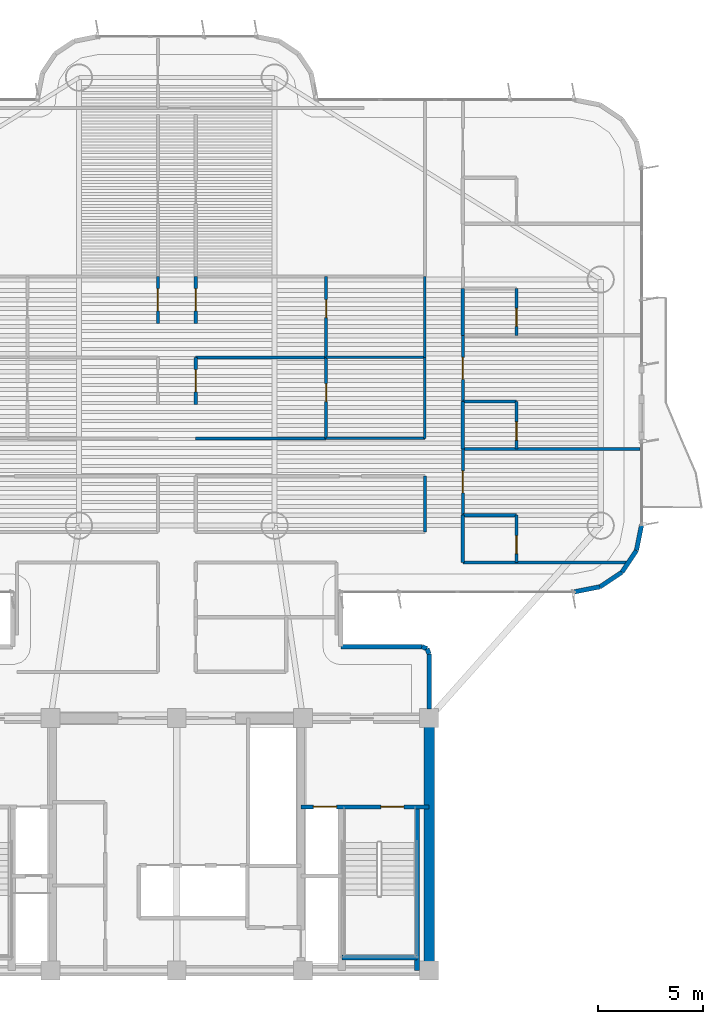
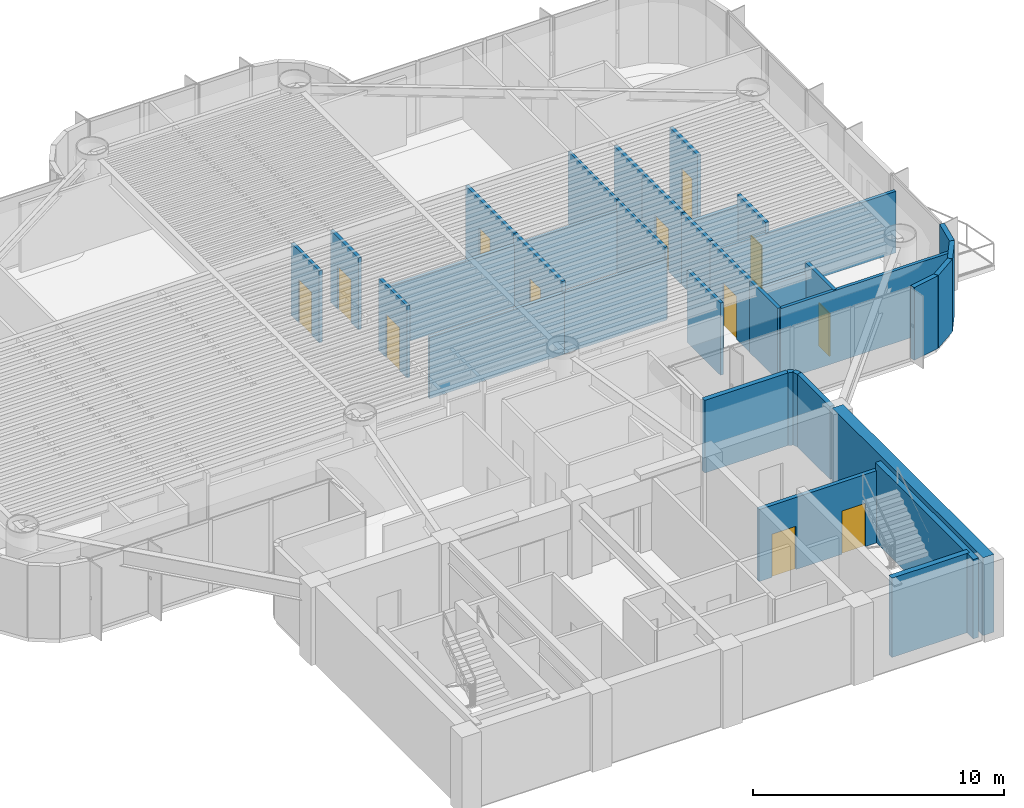
# One storey, part 11 of 17: 36 walls, 12 doors, 12 openings.
"""IFC4 building model written with IfcOpenShell, lengths in metres."""

from ifc_helpers import new_model, si_unit, direction, frame, frame_2d, origin, origin_2d, place, context, subcontext, project, spatial, rectangle, extrude, source, transform, mapped, material, layer, layer_set, type_object, element, fill, save


model = new_model("IFC4")

# Units and contexts
model_context = context("Model", 3, precision=1e-05, world=origin(), true_north=direction((0.0, 1.0)))
body_context = subcontext(model_context, "Body", "Model", "MODEL_VIEW")
ifc_project = project(units=[si_unit("LENGTHUNIT", "METRE"), si_unit("AREAUNIT", "SQUARE_METRE"), si_unit("VOLUMEUNIT", "CUBIC_METRE"), si_unit("PLANEANGLEUNIT", "RADIAN"), si_unit("MASSUNIT", "GRAM", prefix="KILO")], contexts=[model_context])

# Site, building, storey
site_placement = place(None, origin())
site = spatial("IfcSite", under=ifc_project, at=site_placement, CompositionType="ELEMENT")
building_placement = place(site_placement, origin())
building = spatial("IfcBuilding", under=site, at=building_placement, Name="Brelvock Crest Care Tower", CompositionType="ELEMENT")
storey_placement = place(building_placement, frame((0.0, 0.0, 135.179931640625)))
storey = spatial("IfcBuildingStorey", under=building, at=storey_placement, Name="L34", CompositionType="ELEMENT", Elevation=135.179931640625)

# Walls
ifc_material_1 = material(Name="Concrete S80 (80 MPa)", Category="concrete")
ifc_layer_1 = layer(ifc_material_1, 0.5, Name="WL-CS2")
ifc_layer_set_1 = layer_set([ifc_layer_1], Name="Concrete S80 (80 MPa)")
wall_type_1 = type_object("IfcWallType", Name="WL-CS2", PredefinedType="SHEAR", material=ifc_layer_set_1)
wall_1_placement = place(storey_placement, frame((48.0, 18.0, 0.0), z_axis=(0.0, 0.0, 1.0), x_axis=(0.0, -1.0, 0.0)))
element("IfcWall", 1, at=wall_1_placement, inside=storey, type_object=wall_type_1, Name="L34 Core East Shear Wall", PredefinedType="SHEAR", context=body_context, shape_type="SweptSolid", body=[
    extrude(rectangle(XDim=12.0, YDim=0.5, at=frame_2d((6.0, 0.0))), origin(), (0.0, 0.0, 1.0), 3.780029296875),
])
ifc_layer_2 = layer(ifc_material_1, 0.25, Name="WL-CS6")
ifc_layer_set_2 = layer_set([ifc_layer_2], Name="Concrete S80 (80 MPa)")
wall_type_2 = type_object("IfcWallType", Name="WL-CS6", PredefinedType="SHEAR", material=ifc_layer_set_2)
wall_2_placement = place(storey_placement, frame((47.419921875, 6.0, 0.0), z_axis=(0.0, 0.0, 1.0), x_axis=(0.0, 1.0, 0.0)))
element("IfcWall", 2, at=wall_2_placement, inside=storey, type_object=wall_type_2, Name="L34 Core Stair ST-2 East Shear Wall", PredefinedType="SHEAR", context=body_context, shape_type="SweptSolid", body=[
    extrude(rectangle(XDim=7.780029296875, YDim=0.25, at=frame_2d((3.89013671875, 0.0))), origin(), (0.0, 0.0, 1.0), 3.85009765625),
])
wall_3_placement = place(storey_placement, frame((43.85009765625, 6.6201171875, 0.0), z_axis=(0.0, 0.0, 1.0), x_axis=(1.0, 0.0, 0.0)))
element("IfcWall", 3, at=wall_3_placement, inside=storey, type_object=wall_type_2, Name="L34 Core Stair ST-2 South Shear Wall", PredefinedType="SHEAR", context=body_context, shape_type="SweptSolid", body=[
    extrude(rectangle(XDim=3.56982421875, YDim=0.25, at=frame_2d((1.784912109375, 0.0))), origin(), (0.0, 0.0, 1.0), 3.85009765625),
])
ifc_material_2 = material(Name="Precast concrete N40 (40 MPa)", Category="concrete")
ifc_layer_3 = layer(ifc_material_2, 0.215087890625, Name="WL-EX2")
ifc_layer_set_3 = layer_set([ifc_layer_3], Name="Precast concrete N40 (40 MPa)")
wall_type_3 = type_object("IfcWallType", Name="WL-EX2", PredefinedType="SOLIDWALL", material=ifc_layer_set_3)
wall_4_placement = place(storey_placement, frame((47.8974609375, 21.297607421875, 0.0), z_axis=(0.0, 0.0, 1.0), x_axis=(0.382673670509, -0.923883575944, 0.0)))
element("IfcWall", 4, at=wall_4_placement, inside=storey, type_object=wall_type_3, Name="L34 Rounded Corner Wall 00", PredefinedType="SOLIDWALL", context=body_context, shape_type="SweptSolid", body=[
    extrude(rectangle(XDim=0.26806640625, YDim=0.215087890625, at=frame_2d((0.134033203125, 0.0))), origin(), (0.0, 0.0, 1.0), 3.530029296875),
])
wall_5_placement = place(storey_placement, frame((48.0, 21.050048828125, 0.0), z_axis=(0.0, 0.0, 1.0), x_axis=(0.0, -1.0, 0.0)))
element("IfcWall", 5, at=wall_5_placement, inside=storey, type_object=wall_type_3, Name="L34 Rounded Corner Wall 01", PredefinedType="SOLIDWALL", context=body_context, shape_type="SweptSolid", body=[
    extrude(rectangle(XDim=2.6201171875, YDim=0.215087890625, at=frame_2d((1.31005859375, 0.0))), origin(), (0.0, 0.0, 1.0), 3.530029296875),
])
for number, where, z_axis, x_axis, name in (
    (6, (58.10009765625, 27.199951171875, 0.0), (0.0, 0.0, 1.0), (-0.195138390419, -0.980775717779, 0.0), "L34 Rounded Corner Wall 40"),
    (7, (57.8564453125, 25.975341796875, 0.0), (0.0, 0.0, 1.0), (-0.555692485475, -0.831387912822, 0.0), "L34 Rounded Corner Wall 41"),
    (8, (57.16259765625, 24.937255859375, 0.0), (0.0, 0.0, 1.0), (-0.831478245117, -0.555557312883, 0.0), "L34 Rounded Corner Wall 42"),
    (9, (56.12451171875, 24.24365234375, 0.0), (0.0, 0.0, 1.0), (-0.980775717779, -0.195138390419, 0.0), "L34 Rounded Corner Wall 43"),
):
    element("IfcWall", number, at=place(storey_placement, frame(where, z_axis=z_axis, x_axis=x_axis)), inside=storey, type_object=wall_type_3, Name=name, PredefinedType="SOLIDWALL", context=body_context, shape_type="SweptSolid", body=[
        extrude(rectangle(XDim=1.24853515625, YDim=0.215087890625, at=frame_2d((0.624267578125, 0.0))), origin(), (0.0, 0.0, 1.0), 3.530029296875),
    ])
wall_6_placement = place(storey_placement, frame((43.800048828125, 21.39990234375, 0.0), z_axis=(0.0, 0.0, 1.0), x_axis=(1.0, 0.0, 0.0)))
element("IfcWall", 10, at=wall_6_placement, inside=storey, type_object=wall_type_3, Name="L34 Rounded Corner Wall 46", PredefinedType="SOLIDWALL", context=body_context, shape_type="SweptSolid", body=[
    extrude(rectangle(XDim=3.849853515625, YDim=0.215087890625, at=frame_2d((1.9248046875, 0.0))), origin(), (0.0, 0.0, 1.0), 3.530029296875),
])
wall_7_placement = place(storey_placement, frame((47.64990234375, 21.39990234375, 0.0), z_axis=(0.0, 0.0, 1.0), x_axis=(0.924205486139, -0.381895560841, 0.0)))
element("IfcWall", 11, at=wall_7_placement, inside=storey, type_object=wall_type_3, Name="L34 Rounded Corner Wall 47", PredefinedType="SOLIDWALL", context=body_context, shape_type="SweptSolid", body=[
    extrude(rectangle(XDim=0.267822265625, YDim=0.215087890625, at=frame_2d((0.1337890625, 0.0))), origin(), (0.0, 0.0, 1.0), 3.530029296875),
])
ifc_material_3 = material(Name="Masonry Blockwork Acoustic Partition", Category="masonry")
ifc_layer_4 = layer(ifc_material_3, 0.14990234375, Name="WL-INT1")
ifc_layer_set_4 = layer_set([ifc_layer_4], Name="Masonry Blockwork Acoustic Partition")
wall_type_4 = type_object("IfcWallType", Name="WL-INT1", PredefinedType="PARTITIONING", material=ifc_layer_set_4)
wall_8_placement = place(storey_placement, frame((49.60009765625, 25.39990234375, 0.0), z_axis=(0.0, 0.0, 1.0), x_axis=(1.0, 0.0, 0.0)))
element("IfcWall", 12, at=wall_8_placement, inside=storey, type_object=wall_type_4, Name="L34 Interior Wall WL-BX-L34-CS-SNE1-S", PredefinedType="PARTITIONING", context=body_context, shape_type="SweptSolid", body=[
    extrude(rectangle(XDim=7.775634765625, YDim=0.14990234375, at=frame_2d((3.8876953125, 0.0))), origin(), (0.0, 0.0, 1.0), 3.5),
])
wall_9_placement = place(storey_placement, frame((49.60009765625, 30.800048828125, 0.0), z_axis=(0.0, 0.0, 1.0), x_axis=(1.0, 0.0, 0.0)))
element("IfcWall", 13, at=wall_9_placement, inside=storey, type_object=wall_type_4, Name="L34 Interior Wall WL-BX-L34-CS-SNE1-N", PredefinedType="PARTITIONING", context=body_context, shape_type="SweptSolid", body=[
    extrude(rectangle(XDim=8.419921875, YDim=0.14990234375, at=frame_2d((4.2099609375, 0.0))), origin(), (0.0, 0.0, 1.0), 2.982177734375),
])
for number, where, z_axis, x_axis, name in (
    (14, (36.89990234375, 31.300048828125, 0.0), (0.0, 0.0, 1.0), (1.0, 0.0, 0.0), "L34 Interior Wall WL-BX-L34-CS-INES1A-S"),
    (15, (36.89990234375, 35.14990234375, 0.0), (0.0, 0.0, 1.0), (1.0, 0.0, 0.0), "L34 Interior Wall WL-BX-L34-CS-INES1A-N"),
):
    element("IfcWall", number, at=place(storey_placement, frame(where, z_axis=z_axis, x_axis=x_axis)), inside=storey, type_object=wall_type_4, Name=name, PredefinedType="PARTITIONING", context=body_context, shape_type="SweptSolid", body=[
        extrude(rectangle(XDim=6.2001953125, YDim=0.14990234375, at=frame_2d((3.10009765625, 0.0))), origin(), (0.0, 0.0, 1.0), 2.982177734375),
    ])

# Wall, opening, door
wall_10_placement = place(storey_placement, frame((35.10009765625, 36.76708984375, 0.0), z_axis=(0.0, 0.0, 1.0), x_axis=(0.0, 1.0, 0.0)))
wall_10 = element("IfcWall", 16, at=wall_10_placement, inside=storey, type_object=wall_type_4, Name="L34 Interior Wall WL-CENT-L34-INWS1B", PredefinedType="PARTITIONING", context=body_context, shape_type="SweptSolid", body=[
    extrude(rectangle(XDim=2.23291015625, YDim=0.14990234375, at=frame_2d((1.116455078125, 0.0))), origin(), (0.0, 0.0, 1.0), 3.5),
])
opening_1_placement = place(wall_10_placement, frame((0.595947265625, 0.0, 0.0)))
opening_1 = element("IfcOpeningElement", 17, at=opening_1_placement, cuts=wall_10, Name="Opening CD-1", PredefinedType="OPENING", context=body_context, shape_type="SweptSolid", body=[
    extrude(rectangle(XDim=1.050048828125, YDim=2.10009765625, at=origin_2d()), frame((0.52490234375, 0.0849609375, 1.050048828125), z_axis=(0.0, -1.0, 0.0), x_axis=(1.0, 0.0, 0.0)), (0.0, 0.0, 1.0), 0.169921875),
])
ifc_material_4 = material(Name="Engineered Hardwood Timber", Category="wood")
door_type_1 = type_object("IfcDoorType", Name="DR-CARE1", OperationType="NOTDEFINED", PredefinedType="DOOR", material=ifc_material_4)
shared_shape_1 = source(origin(), body_context, "Body", "SweptSolid", [
    extrude(rectangle(XDim=1.050048828125, YDim=2.10009765625, at=origin_2d()), frame((0.52490234375, 0.02490234375, 1.050048828125), z_axis=(0.0, -1.0, 0.0), x_axis=(1.0, 0.0, 0.0)), (0.0, 0.0, 1.0), 0.050048828125),
])
door_1_placement = place(opening_1_placement, origin())
door_1 = element("IfcDoor", 18, at=door_1_placement, inside=storey, type_object=door_type_1, Name="L34 Care Suite Door INWS1B", OperationType="SINGLE_SWING_LEFT", OverallHeight=2.10009765625, OverallWidth=1.050048828125, PredefinedType="DOOR", context=body_context, shape_type="MappedRepresentation", body=[
    mapped(shared_shape_1, transform((0.0, 0.0, 0.0), x_axis=(1.0, 0.0, 0.0), y_axis=(0.0, 1.0, 0.0), z_axis=(0.0, 0.0, 1.0), scale=1.0)),
])
fill(opening_1, door_1)

wall_11_placement = place(storey_placement, frame((36.89990234375, 32.9169921875, 0.0), z_axis=(0.0, 0.0, 1.0), x_axis=(0.0, 1.0, 0.0)))
wall_11 = element("IfcWall", 19, at=wall_11_placement, inside=storey, type_object=wall_type_4, Name="L34 Interior Wall WL-CENT-L34-INES1A", PredefinedType="PARTITIONING", context=body_context, shape_type="SweptSolid", body=[
    extrude(rectangle(XDim=2.23291015625, YDim=0.14990234375, at=frame_2d((1.116455078125, 0.0))), origin(), (0.0, 0.0, 1.0), 3.5),
])
opening_2_placement = place(wall_11_placement, frame((0.595947265625, 0.0, 0.0)))
opening_2 = element("IfcOpeningElement", 20, at=opening_2_placement, cuts=wall_11, Name="Opening CD-1", PredefinedType="OPENING", context=body_context, shape_type="SweptSolid", body=[
    extrude(rectangle(XDim=1.050048828125, YDim=2.10009765625, at=origin_2d()), frame((0.52490234375, 0.0849609375, 1.050048828125), z_axis=(0.0, -1.0, 0.0), x_axis=(1.0, 0.0, 0.0)), (0.0, 0.0, 1.0), 0.169921875),
])
door_2_placement = place(opening_2_placement, origin())
door_2 = element("IfcDoor", 21, at=door_2_placement, inside=storey, type_object=door_type_1, Name="L34 Care Suite Door INES1A", OperationType="SINGLE_SWING_LEFT", OverallHeight=2.10009765625, OverallWidth=1.050048828125, PredefinedType="DOOR", context=body_context, shape_type="MappedRepresentation", body=[
    mapped(shared_shape_1, transform((0.0, 0.0, 0.0), x_axis=(1.0, 0.0, 0.0), y_axis=(0.0, 1.0, 0.0), z_axis=(0.0, 0.0, 1.0), scale=1.0)),
])
fill(opening_2, door_2)

wall_12_placement = place(storey_placement, frame((36.89990234375, 36.76708984375, 0.0), z_axis=(0.0, 0.0, 1.0), x_axis=(0.0, 1.0, 0.0)))
wall_12 = element("IfcWall", 22, at=wall_12_placement, inside=storey, type_object=wall_type_4, Name="L34 Interior Wall WL-CENT-L34-INES1B", PredefinedType="PARTITIONING", context=body_context, shape_type="SweptSolid", body=[
    extrude(rectangle(XDim=2.23291015625, YDim=0.14990234375, at=frame_2d((1.116455078125, 0.0))), origin(), (0.0, 0.0, 1.0), 3.5),
])
opening_3_placement = place(wall_12_placement, frame((0.595947265625, 0.0, 0.0)))
opening_3 = element("IfcOpeningElement", 23, at=opening_3_placement, cuts=wall_12, Name="Opening CD-1", PredefinedType="OPENING", context=body_context, shape_type="SweptSolid", body=[
    extrude(rectangle(XDim=1.050048828125, YDim=2.10009765625, at=origin_2d()), frame((0.52490234375, 0.0849609375, 1.050048828125), z_axis=(0.0, -1.0, 0.0), x_axis=(1.0, 0.0, 0.0)), (0.0, 0.0, 1.0), 0.169921875),
])
door_3_placement = place(opening_3_placement, origin())
door_3 = element("IfcDoor", 24, at=door_3_placement, inside=storey, type_object=door_type_1, Name="L34 Care Suite Door INES1B", OperationType="SINGLE_SWING_LEFT", OverallHeight=2.10009765625, OverallWidth=1.050048828125, PredefinedType="DOOR", context=body_context, shape_type="MappedRepresentation", body=[
    mapped(shared_shape_1, transform((0.0, 0.0, 0.0), x_axis=(1.0, 0.0, 0.0), y_axis=(0.0, 1.0, 0.0), z_axis=(0.0, 0.0, 1.0), scale=1.0)),
])
fill(opening_3, door_3)

wall_13_placement = place(storey_placement, frame((43.10009765625, 31.300048828125, 0.0), z_axis=(0.0, 0.0, 1.0), x_axis=(0.0, 1.0, 0.0)))
wall_13 = element("IfcWall", 25, at=wall_13_placement, inside=storey, type_object=wall_type_4, Name="L34 Interior Wall WL-RM-L34-INES1AS", PredefinedType="PARTITIONING", context=body_context, shape_type="SweptSolid", body=[
    extrude(rectangle(XDim=3.849853515625, YDim=0.14990234375, at=frame_2d((1.9248046875, 0.0))), origin(), (0.0, 0.0, 1.0), 3.5),
])
opening_4_placement = place(wall_13_placement, frame((1.739990234375, 0.0, 0.0)))
opening_4 = element("IfcOpeningElement", 26, at=opening_4_placement, cuts=wall_13, Name="Opening ID-1", PredefinedType="OPENING", context=body_context, shape_type="SweptSolid", body=[
    extrude(rectangle(XDim=0.860107421875, YDim=2.10009765625, at=origin_2d()), frame((0.43017578125, 0.0849609375, 1.050048828125), z_axis=(0.0, -1.0, 0.0), x_axis=(1.0, 0.0, 0.0)), (0.0, 0.0, 1.0), 0.169921875),
])
door_type_2 = type_object("IfcDoorType", Name="DR-INT1", OperationType="NOTDEFINED", PredefinedType="DOOR", material=ifc_material_4)
shared_shape_2 = source(origin(), body_context, "Body", "SweptSolid", [
    extrude(rectangle(XDim=0.860107421875, YDim=2.10009765625, at=origin_2d()), frame((0.43017578125, 0.02490234375, 1.050048828125), z_axis=(0.0, -1.0, 0.0), x_axis=(1.0, 0.0, 0.0)), (0.0, 0.0, 1.0), 0.050048828125),
])
door_4_placement = place(opening_4_placement, origin())
door_4 = element("IfcDoor", 27, at=door_4_placement, inside=storey, type_object=door_type_2, Name="L34 Skilled Nursing Mobility Store Door INES1AS", OperationType="SINGLE_SWING_LEFT", OverallHeight=2.10009765625, OverallWidth=0.860107421875, PredefinedType="DOOR", context=body_context, shape_type="MappedRepresentation", body=[
    mapped(shared_shape_2, transform((0.0, 0.0, 0.0), x_axis=(1.0, 0.0, 0.0), y_axis=(0.0, 1.0, 0.0), z_axis=(0.0, 0.0, 1.0), scale=1.0)),
])
fill(opening_4, door_4)

wall_14_placement = place(storey_placement, frame((43.10009765625, 35.14990234375, 0.0), z_axis=(0.0, 0.0, 1.0), x_axis=(0.0, 1.0, 0.0)))
wall_14 = element("IfcWall", 28, at=wall_14_placement, inside=storey, type_object=wall_type_4, Name="L34 Interior Wall WL-RM-L34-INES1BS", PredefinedType="PARTITIONING", context=body_context, shape_type="SweptSolid", body=[
    extrude(rectangle(XDim=3.85009765625, YDim=0.14990234375, at=frame_2d((1.925048828125, 0.0))), origin(), (0.0, 0.0, 1.0), 3.5),
])
opening_5_placement = place(wall_14_placement, frame((1.889892578125, 0.0, 0.0)))
opening_5 = element("IfcOpeningElement", 29, at=opening_5_placement, cuts=wall_14, Name="Opening ID-1", PredefinedType="OPENING", context=body_context, shape_type="SweptSolid", body=[
    extrude(rectangle(XDim=0.860107421875, YDim=2.10009765625, at=origin_2d()), frame((0.43017578125, 0.0849609375, 1.050048828125), z_axis=(0.0, -1.0, 0.0), x_axis=(1.0, 0.0, 0.0)), (0.0, 0.0, 1.0), 0.169921875),
])
door_5_placement = place(opening_5_placement, origin())
door_5 = element("IfcDoor", 30, at=door_5_placement, inside=storey, type_object=door_type_2, Name="L34 Skilled Nursing Mobility Store Door INES1BS", OperationType="SINGLE_SWING_LEFT", OverallHeight=2.10009765625, OverallWidth=0.860107421875, PredefinedType="DOOR", context=body_context, shape_type="MappedRepresentation", body=[
    mapped(shared_shape_2, transform((0.0, 0.0, 0.0), x_axis=(1.0, 0.0, 0.0), y_axis=(0.0, 1.0, 0.0), z_axis=(0.0, 0.0, 1.0), scale=1.0)),
])
fill(opening_5, door_5)

# Wall
wall_15_placement = place(storey_placement, frame((47.800048828125, 26.85009765625, 0.0), z_axis=(0.0, 0.0, 1.0), x_axis=(0.0, 1.0, 0.0)))
element("IfcWall", 31, at=wall_15_placement, inside=storey, type_object=wall_type_4, Name="L34 Interior Wall WL-BX-L34-ISEM-E", PredefinedType="PARTITIONING", context=body_context, shape_type="SweptSolid", body=[
    extrude(rectangle(XDim=2.64990234375, YDim=0.14990234375, at=frame_2d((1.324951171875, 0.0))), origin(), (0.0, 0.0, 1.0), 3.5),
])

# Wall, opening, door
wall_16_placement = place(storey_placement, frame((49.60009765625, 27.64990234375, 0.0), z_axis=(0.0, 0.0, 1.0), x_axis=(0.0, 1.0, 0.0)))
wall_16 = element("IfcWall", 32, at=wall_16_placement, inside=storey, type_object=wall_type_4, Name="L34 Interior Wall WL-CENT-L34-SNE1", PredefinedType="PARTITIONING", context=body_context, shape_type="SweptSolid", body=[
    extrude(rectangle(XDim=3.150146484375, YDim=0.14990234375, at=frame_2d((1.5751953125, 0.0))), origin(), (0.0, 0.0, 1.0), 3.5),
])
opening_6_placement = place(wall_16_placement, frame((1.054931640625, 0.0, 0.0)))
opening_6 = element("IfcOpeningElement", 33, at=opening_6_placement, cuts=wall_16, Name="Opening CD-1", PredefinedType="OPENING", context=body_context, shape_type="SweptSolid", body=[
    extrude(rectangle(XDim=1.050048828125, YDim=2.10009765625, at=origin_2d()), frame((0.52490234375, 0.0849609375, 1.050048828125), z_axis=(0.0, -1.0, 0.0), x_axis=(1.0, 0.0, 0.0)), (0.0, 0.0, 1.0), 0.169921875),
])
door_6_placement = place(opening_6_placement, origin())
door_6 = element("IfcDoor", 34, at=door_6_placement, inside=storey, type_object=door_type_1, Name="L34 Care Suite Door SNE1", OperationType="SINGLE_SWING_LEFT", OverallHeight=2.10009765625, OverallWidth=1.050048828125, PredefinedType="DOOR", context=body_context, shape_type="MappedRepresentation", body=[
    mapped(shared_shape_1, transform((0.0, 0.0, 0.0), x_axis=(1.0, 0.0, 0.0), y_axis=(0.0, 1.0, 0.0), z_axis=(0.0, 0.0, 1.0), scale=1.0)),
])
fill(opening_6, door_6)

wall_17_placement = place(storey_placement, frame((49.60009765625, 33.050048828125, 0.0), z_axis=(0.0, 0.0, 1.0), x_axis=(0.0, 1.0, 0.0)))
wall_17 = element("IfcWall", 35, at=wall_17_placement, inside=storey, type_object=wall_type_4, Name="L34 Interior Wall WL-CENT-L34-SNE2", PredefinedType="PARTITIONING", context=body_context, shape_type="SweptSolid", body=[
    extrude(rectangle(XDim=3.14990234375, YDim=0.14990234375, at=frame_2d((1.574951171875, 0.0))), origin(), (0.0, 0.0, 1.0), 3.5),
])
opening_7_placement = place(wall_17_placement, frame((1.054931640625, 0.0, 0.0)))
opening_7 = element("IfcOpeningElement", 36, at=opening_7_placement, cuts=wall_17, Name="Opening CD-1", PredefinedType="OPENING", context=body_context, shape_type="SweptSolid", body=[
    extrude(rectangle(XDim=1.050048828125, YDim=2.10009765625, at=origin_2d()), frame((0.52490234375, 0.0849609375, 1.050048828125), z_axis=(0.0, -1.0, 0.0), x_axis=(1.0, 0.0, 0.0)), (0.0, 0.0, 1.0), 0.169921875),
])
door_7_placement = place(opening_7_placement, origin())
door_7 = element("IfcDoor", 37, at=door_7_placement, inside=storey, type_object=door_type_1, Name="L34 Care Suite Door SNE2", OperationType="SINGLE_SWING_LEFT", OverallHeight=2.10009765625, OverallWidth=1.050048828125, PredefinedType="DOOR", context=body_context, shape_type="MappedRepresentation", body=[
    mapped(shared_shape_1, transform((0.0, 0.0, 0.0), x_axis=(1.0, 0.0, 0.0), y_axis=(0.0, 1.0, 0.0), z_axis=(0.0, 0.0, 1.0), scale=1.0)),
])
fill(opening_7, door_7)

# Walls
ifc_material_5 = material(Name="Gypsum Plasterboard Partition", Category="gypsum")
ifc_layer_5 = layer(ifc_material_5, 0.1201171875, Name="WL-INT2")
ifc_layer_set_5 = layer_set([ifc_layer_5], Name="Gypsum Plasterboard Partition")
wall_type_5 = type_object("IfcWallType", Name="WL-INT2", PredefinedType="PARTITIONING", material=ifc_layer_set_5)
for number, where, z_axis, x_axis, name in (
    (38, (43.10009765625, 31.300048828125, 0.0), (0.0, 0.0, 1.0), (1.0, 0.0, 0.0), "L34 Interior Wall WL-BX-L34-INES1AS-S"),
    (39, (43.10009765625, 35.14990234375, 0.0), (0.0, 0.0, 1.0), (1.0, 0.0, 0.0), "L34 Interior Wall WL-BX-L34-INES1AS-N"),
):
    element("IfcWall", number, at=place(storey_placement, frame(where, z_axis=z_axis, x_axis=x_axis)), inside=storey, type_object=wall_type_5, Name=name, PredefinedType="PARTITIONING", context=body_context, shape_type="SweptSolid", body=[
        extrude(rectangle(XDim=4.699951171875, YDim=0.1201171875, at=frame_2d((2.35009765625, 0.0))), origin(), (0.0, 0.0, 1.0), 2.982177734375),
    ])
wall_18_placement = place(storey_placement, frame((47.800048828125, 31.300048828125, 0.0), z_axis=(0.0, 0.0, 1.0), x_axis=(0.0, 1.0, 0.0)))
element("IfcWall", 40, at=wall_18_placement, inside=storey, type_object=wall_type_5, Name="L34 Interior Wall WL-BX-L34-INES1AS-E", PredefinedType="PARTITIONING", context=body_context, shape_type="SweptSolid", body=[
    extrude(rectangle(XDim=3.849853515625, YDim=0.1201171875, at=frame_2d((1.9248046875, 0.0))), origin(), (0.0, 0.0, 1.0), 3.5),
])
wall_19_placement = place(storey_placement, frame((47.800048828125, 35.14990234375, 0.0), z_axis=(0.0, 0.0, 1.0), x_axis=(0.0, 1.0, 0.0)))
element("IfcWall", 41, at=wall_19_placement, inside=storey, type_object=wall_type_5, Name="L34 Interior Wall WL-BX-L34-INES1BS-E", PredefinedType="PARTITIONING", context=body_context, shape_type="SweptSolid", body=[
    extrude(rectangle(XDim=3.85009765625, YDim=0.1201171875, at=frame_2d((1.925048828125, 0.0))), origin(), (0.0, 0.0, 1.0), 3.5),
])
ifc_layer_6 = layer(ifc_material_5, 0.159912109375, Name="WL-PLM1")
ifc_layer_set_6 = layer_set([ifc_layer_6], Name="Gypsum Plasterboard Partition")
wall_type_6 = type_object("IfcWallType", Name="WL-PLM1", PredefinedType="PLUMBINGWALL", material=ifc_layer_set_6)
for number, where, z_axis, x_axis, name in (
    (42, (49.60009765625, 27.64990234375, 0.0), (0.0, 0.0, 1.0), (1.0, 0.0, 0.0), "L34 Interior Wall WL-CENS2-L34-SNE1"),
    (43, (49.60009765625, 33.050048828125, 0.0), (0.0, 0.0, 1.0), (1.0, 0.0, 0.0), "L34 Interior Wall WL-CENS2-L34-SNE2"),
):
    element("IfcWall", number, at=place(storey_placement, frame(where, z_axis=z_axis, x_axis=x_axis)), inside=storey, type_object=wall_type_6, Name=name, PredefinedType="PLUMBINGWALL", context=body_context, shape_type="SweptSolid", body=[
        extrude(rectangle(XDim=2.5498046875, YDim=0.159912109375, at=frame_2d((1.27490234375, 0.0))), origin(), (0.0, 0.0, 1.0), 2.982177734375),
    ])
for number, where, z_axis, x_axis, name in (
    (44, (49.60009765625, 25.39990234375, 0.0), (0.0, 0.0, 1.0), (0.0, 1.0, 0.0), "L34 Interior Wall WL-CENS0-L34-SNE1"),
    (45, (49.60009765625, 30.800048828125, 0.0), (0.0, 0.0, 1.0), (0.0, 1.0, 0.0), "L34 Interior Wall WL-CENS0-L34-SNE2"),
):
    element("IfcWall", number, at=place(storey_placement, frame(where, z_axis=z_axis, x_axis=x_axis)), inside=storey, type_object=wall_type_6, Name=name, PredefinedType="PLUMBINGWALL", context=body_context, shape_type="SweptSolid", body=[
        extrude(rectangle(XDim=2.25, YDim=0.159912109375, at=frame_2d((1.125, 0.0))), origin(), (0.0, 0.0, 1.0), 3.5),
    ])
wall_20_placement = place(storey_placement, frame((49.60009765625, 36.199951171875, 0.0), z_axis=(0.0, 0.0, 1.0), x_axis=(0.0, 1.0, 0.0)))
element("IfcWall", 46, at=wall_20_placement, inside=storey, type_object=wall_type_6, Name="L34 Interior Wall WL-CENS0-L34-SNE3", PredefinedType="PLUMBINGWALL", context=body_context, shape_type="SweptSolid", body=[
    extrude(rectangle(XDim=2.22607421875, YDim=0.159912109375, at=frame_2d((1.113037109375, 0.0))), origin(), (0.0, 0.0, 1.0), 3.5),
])

# Wall, opening, door
wall_21_placement = place(storey_placement, frame((52.14990234375, 25.39990234375, 0.0), z_axis=(0.0, 0.0, 1.0), x_axis=(0.0, 1.0, 0.0)))
wall_21 = element("IfcWall", 47, at=wall_21_placement, inside=storey, type_object=wall_type_6, Name="L34 Interior Wall WL-CENS1-L34-SNE1", PredefinedType="PLUMBINGWALL", context=body_context, shape_type="SweptSolid", body=[
    extrude(rectangle(XDim=2.25, YDim=0.159912109375, at=frame_2d((1.125, 0.0))), origin(), (0.0, 0.0, 1.0), 3.5),
])
opening_8_placement = place(wall_21_placement, frame((0.419921875, 0.0, 0.0)))
opening_8 = element("IfcOpeningElement", 48, at=opening_8_placement, cuts=wall_21, Name="Opening WD-1", PredefinedType="OPENING", context=body_context, shape_type="SweptSolid", body=[
    extrude(rectangle(XDim=0.860107421875, YDim=2.10009765625, at=origin_2d()), frame((0.43017578125, 0.08984375, 1.050048828125), z_axis=(0.0, -1.0, 0.0), x_axis=(1.0, 0.0, 0.0)), (0.0, 0.0, 1.0), 0.179931640625),
])
door_type_3 = type_object("IfcDoorType", Name="DR-WC1", OperationType="NOTDEFINED", PredefinedType="DOOR", material=ifc_material_4)
shared_shape_3 = source(origin(), body_context, "Body", "SweptSolid", [
    extrude(rectangle(XDim=0.860107421875, YDim=2.10009765625, at=origin_2d()), frame((0.43017578125, 0.02490234375, 1.050048828125), z_axis=(0.0, -1.0, 0.0), x_axis=(1.0, 0.0, 0.0)), (0.0, 0.0, 1.0), 0.050048828125),
])
door_8_placement = place(opening_8_placement, origin())
door_8 = element("IfcDoor", 49, at=door_8_placement, inside=storey, type_object=door_type_3, Name="L34 Care En-Suite Door SNE1", OperationType="SINGLE_SWING_RIGHT", OverallHeight=2.10009765625, OverallWidth=0.860107421875, PredefinedType="DOOR", context=body_context, shape_type="MappedRepresentation", body=[
    mapped(shared_shape_3, transform((0.0, 0.0, 0.0), x_axis=(1.0, 0.0, 0.0), y_axis=(0.0, 1.0, 0.0), z_axis=(0.0, 0.0, 1.0), scale=1.0)),
])
fill(opening_8, door_8)

wall_22_placement = place(storey_placement, frame((52.14990234375, 30.800048828125, 0.0), z_axis=(0.0, 0.0, 1.0), x_axis=(0.0, 1.0, 0.0)))
wall_22 = element("IfcWall", 50, at=wall_22_placement, inside=storey, type_object=wall_type_6, Name="L34 Interior Wall WL-CENS1-L34-SNE2", PredefinedType="PLUMBINGWALL", context=body_context, shape_type="SweptSolid", body=[
    extrude(rectangle(XDim=2.25, YDim=0.159912109375, at=frame_2d((1.125, 0.0))), origin(), (0.0, 0.0, 1.0), 3.5),
])
opening_9_placement = place(wall_22_placement, frame((0.419921875, 0.0, 0.0)))
opening_9 = element("IfcOpeningElement", 51, at=opening_9_placement, cuts=wall_22, Name="Opening WD-1", PredefinedType="OPENING", context=body_context, shape_type="SweptSolid", body=[
    extrude(rectangle(XDim=0.860107421875, YDim=2.10009765625, at=origin_2d()), frame((0.43017578125, 0.08984375, 1.050048828125), z_axis=(0.0, -1.0, 0.0), x_axis=(1.0, 0.0, 0.0)), (0.0, 0.0, 1.0), 0.179931640625),
])
door_9_placement = place(opening_9_placement, origin())
door_9 = element("IfcDoor", 52, at=door_9_placement, inside=storey, type_object=door_type_3, Name="L34 Care En-Suite Door SNE2", OperationType="SINGLE_SWING_RIGHT", OverallHeight=2.10009765625, OverallWidth=0.860107421875, PredefinedType="DOOR", context=body_context, shape_type="MappedRepresentation", body=[
    mapped(shared_shape_3, transform((0.0, 0.0, 0.0), x_axis=(1.0, 0.0, 0.0), y_axis=(0.0, 1.0, 0.0), z_axis=(0.0, 0.0, 1.0), scale=1.0)),
])
fill(opening_9, door_9)

wall_23_placement = place(storey_placement, frame((52.14990234375, 36.199951171875, 0.0), z_axis=(0.0, 0.0, 1.0), x_axis=(0.0, 1.0, 0.0)))
wall_23 = element("IfcWall", 53, at=wall_23_placement, inside=storey, type_object=wall_type_6, Name="L34 Interior Wall WL-CENS1-L34-SNE3", PredefinedType="PLUMBINGWALL", context=body_context, shape_type="SweptSolid", body=[
    extrude(rectangle(XDim=2.22607421875, YDim=0.159912109375, at=frame_2d((1.113037109375, 0.0))), origin(), (0.0, 0.0, 1.0), 3.5),
])
opening_10_placement = place(wall_23_placement, frame((0.419921875, 0.0, 0.0)))
opening_10 = element("IfcOpeningElement", 54, at=opening_10_placement, cuts=wall_23, Name="Opening WD-1", PredefinedType="OPENING", context=body_context, shape_type="SweptSolid", body=[
    extrude(rectangle(XDim=0.860107421875, YDim=2.10009765625, at=origin_2d()), frame((0.43017578125, 0.08984375, 1.050048828125), z_axis=(0.0, -1.0, 0.0), x_axis=(1.0, 0.0, 0.0)), (0.0, 0.0, 1.0), 0.179931640625),
])
door_10_placement = place(opening_10_placement, origin())
door_10 = element("IfcDoor", 55, at=door_10_placement, inside=storey, type_object=door_type_3, Name="L34 Care En-Suite Door SNE3", OperationType="SINGLE_SWING_RIGHT", OverallHeight=2.10009765625, OverallWidth=0.860107421875, PredefinedType="DOOR", context=body_context, shape_type="MappedRepresentation", body=[
    mapped(shared_shape_3, transform((0.0, 0.0, 0.0), x_axis=(1.0, 0.0, 0.0), y_axis=(0.0, 1.0, 0.0), z_axis=(0.0, 0.0, 1.0), scale=1.0)),
])
fill(opening_10, door_10)

# Wall, openings, doors
ifc_layer_7 = layer(ifc_material_3, 0.179931640625, Name="WL-SHF1")
ifc_layer_set_7 = layer_set([ifc_layer_7], Name="Masonry Blockwork Acoustic Partition")
wall_type_7 = type_object("IfcWallType", Name="WL-SHF1", PredefinedType="PARTITIONING", material=ifc_layer_set_7)
wall_24_placement = place(storey_placement, frame((41.89990234375, 13.780029296875, 0.0), z_axis=(0.0, 0.0, 1.0), x_axis=(1.0, 0.0, 0.0)))
wall_24 = element("IfcWall", 56, at=wall_24_placement, inside=storey, type_object=wall_type_7, Name="L34 Interior Wall WL-ST2-N-L34", PredefinedType="PARTITIONING", context=body_context, shape_type="SweptSolid", body=[
    extrude(rectangle(XDim=6.10009765625, YDim=0.179931640625, at=frame_2d((3.050048828125, 0.0))), origin(), (0.0, 0.0, 1.0), 3.5),
])
opening_11_placement = place(wall_24_placement, frame((0.60009765625, 0.0, 0.0)))
opening_11 = element("IfcOpeningElement", 57, at=opening_11_placement, cuts=wall_24, Name="Opening LD", PredefinedType="OPENING", context=body_context, shape_type="SweptSolid", body=[
    extrude(rectangle(XDim=1.10009765625, YDim=2.10009765625, at=origin_2d()), frame((0.550048828125, 0.10009765625, 1.050048828125), z_axis=(0.0, -1.0, 0.0), x_axis=(1.0, 0.0, 0.0)), (0.0, 0.0, 1.0), 0.199951171875),
])
opening_12_placement = place(wall_24_placement, frame((3.800048828125, 0.0, 0.0)))
opening_12 = element("IfcOpeningElement", 58, at=opening_12_placement, cuts=wall_24, Name="Opening SD-1", PredefinedType="OPENING", context=body_context, shape_type="SweptSolid", body=[
    extrude(rectangle(XDim=1.10009765625, YDim=2.10009765625, at=origin_2d()), frame((0.550048828125, 0.10009765625, 1.050048828125), z_axis=(0.0, -1.0, 0.0), x_axis=(1.0, 0.0, 0.0)), (0.0, 0.0, 1.0), 0.199951171875),
])
ifc_material_6 = material(Name="Steel Grade 350", Category="steel")
door_type_4 = type_object("IfcDoorType", Name="DR-ST1", OperationType="NOTDEFINED", PredefinedType="DOOR", material=ifc_material_6)
shared_shape_4 = source(origin(), body_context, "Body", "SweptSolid", [
    extrude(rectangle(XDim=1.10009765625, YDim=2.10009765625, at=origin_2d()), frame((0.550048828125, 0.02490234375, 1.050048828125), z_axis=(0.0, -1.0, 0.0), x_axis=(1.0, 0.0, 0.0)), (0.0, 0.0, 1.0), 0.050048828125),
])
door_11_placement = place(opening_12_placement, origin())
door_11 = element("IfcDoor", 59, at=door_11_placement, inside=storey, type_object=door_type_4, Name="L34 Fire Stair ST-2 Door", OperationType="SINGLE_SWING_RIGHT", OverallHeight=2.10009765625, OverallWidth=1.10009765625, PredefinedType="DOOR", context=body_context, shape_type="MappedRepresentation", body=[
    mapped(shared_shape_4, transform((0.0, 0.0, 0.0), x_axis=(1.0, 0.0, 0.0), y_axis=(0.0, 1.0, 0.0), z_axis=(0.0, 0.0, 1.0), scale=1.0)),
])
fill(opening_12, door_11)
door_type_5 = type_object("IfcDoorType", Name="DR-LD1", OperationType="NOTDEFINED", PredefinedType="DOOR", material=ifc_material_6)
shared_shape_5 = source(origin(), body_context, "Body", "SweptSolid", [
    extrude(rectangle(XDim=1.10009765625, YDim=2.10009765625, at=origin_2d()), frame((0.550048828125, 0.02490234375, 1.050048828125), z_axis=(0.0, -1.0, 0.0), x_axis=(1.0, 0.0, 0.0)), (0.0, 0.0, 1.0), 0.050048828125),
])
door_12_placement = place(opening_11_placement, origin())
door_12 = element("IfcDoor", 60, at=door_12_placement, inside=storey, type_object=door_type_5, Name="L34 Firefighting Lift FFL-2 Landing Door", OperationType="SLIDING_TO_RIGHT", OverallHeight=2.10009765625, OverallWidth=1.10009765625, PredefinedType="DOOR", context=body_context, shape_type="MappedRepresentation", body=[
    mapped(shared_shape_5, transform((0.0, 0.0, 0.0), x_axis=(1.0, 0.0, 0.0), y_axis=(0.0, 1.0, 0.0), z_axis=(0.0, 0.0, 1.0), scale=1.0)),
])
fill(opening_11, door_12)

save(model, "model.ifc")
